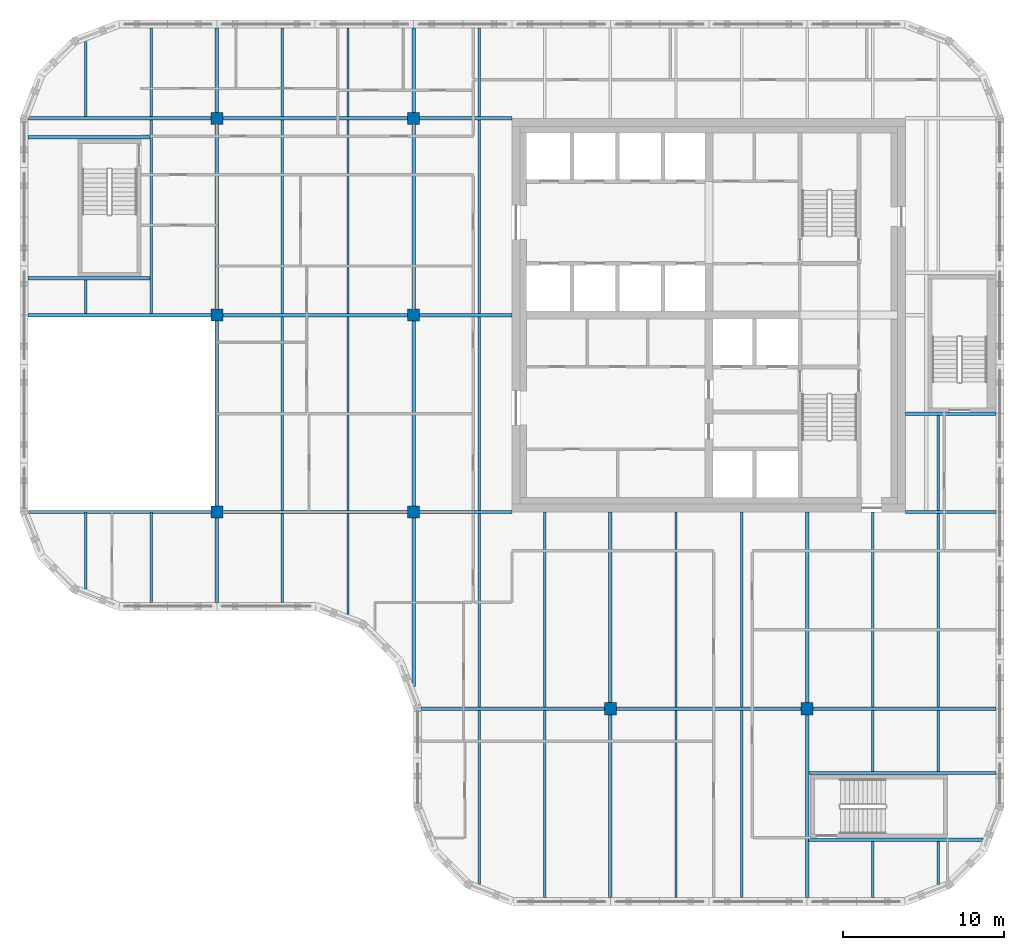
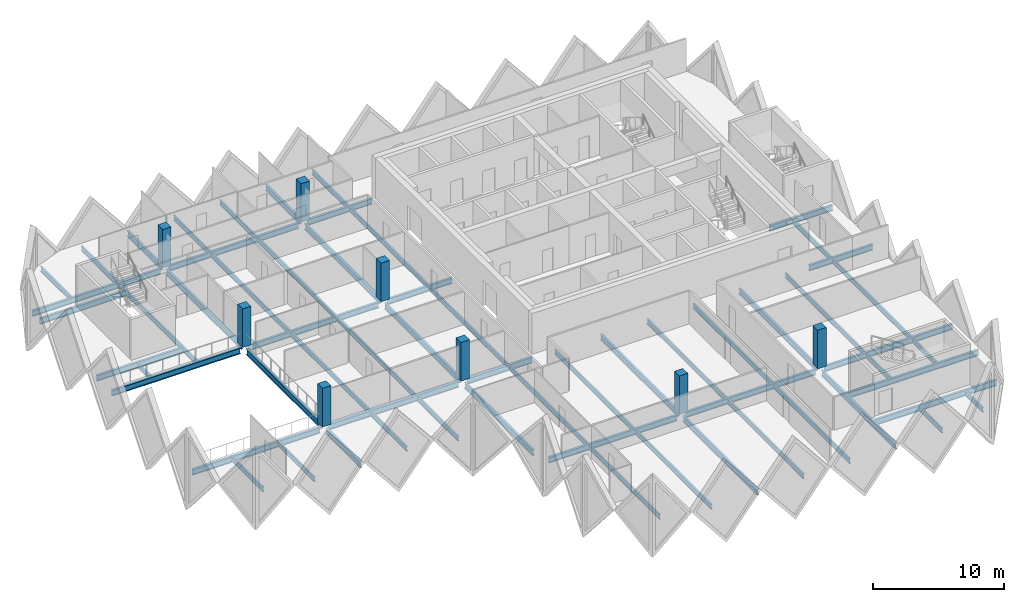
# One storey, part 1 of 11: 62 beams, 8 columns.
"""IFC4 building model written with IfcOpenShell, lengths in metres."""

from ifc_helpers import new_model, si_unit, direction, frame, origin, origin_2d, place, context, subcontext, project, spatial, rectangle, i_section, extrude, material, material_profile, profile_set, type_object, element, save


model = new_model("IFC4")

# Units and contexts
model_context = context("Model", 3, precision=1e-05, world=origin(), true_north=direction((0.0, 1.0)))
body_context = subcontext(model_context, "Body", "Model", "MODEL_VIEW")
ifc_project = project(units=[si_unit("LENGTHUNIT", "METRE"), si_unit("AREAUNIT", "SQUARE_METRE"), si_unit("VOLUMEUNIT", "CUBIC_METRE"), si_unit("PLANEANGLEUNIT", "RADIAN"), si_unit("MASSUNIT", "GRAM", prefix="KILO")], contexts=[model_context])

# Site, building, storey
site_placement = place(None, origin())
site = spatial("IfcSite", under=ifc_project, at=site_placement, CompositionType="ELEMENT")
building_placement = place(site_placement, origin())
building = spatial("IfcBuilding", under=site, at=building_placement, Name="Tessera Gate Towers", CompositionType="ELEMENT")
storey_placement = place(building_placement, frame((0.0, 0.0, 224.5)))
storey = spatial("IfcBuildingStorey", under=building, at=storey_placement, Name="L56", CompositionType="ELEMENT", Elevation=224.5)

# Columns
ifc_material_1 = material(Name="Concrete C70/85", Category="concrete")
ifc_material_profile_1 = material_profile(ifc_material_1, rectangle(XDim=0.75, YDim=0.75, at=origin_2d()), Name="RC 750x750")
ifc_profile_set_1 = profile_set([ifc_material_profile_1], Name="Concrete C70/85")
column_type = type_object("IfcColumnType", Name="COLUMN RC 750x750", PredefinedType="COLUMN", material=ifc_profile_set_1)
for number, where, z_axis, x_axis, name in (
    (1, (12.199951171875, 24.39990234375, 0.0), (0.0, 0.0, 1.0), (1.0, 0.0, 0.0), "T1-COL-2C-L56"),
    (2, (12.199951171875, 36.60009765625, 0.0), (0.0, 0.0, 1.0), (1.0, 0.0, 0.0), "T1-COL-2D-L56"),
    (3, (12.199951171875, 48.800048828125, 0.0), (0.0, 0.0, 1.0), (1.0, 0.0, 0.0), "T1-COL-2E-L56"),
    (4, (24.39990234375, 24.39990234375, 0.0), (0.0, 0.0, 1.0), (1.0, 0.0, 0.0), "T1-COL-3C-L56"),
    (5, (24.39990234375, 36.60009765625, 0.0), (0.0, 0.0, 1.0), (1.0, 0.0, 0.0), "T1-COL-3D-L56"),
    (6, (24.39990234375, 48.800048828125, 0.0), (0.0, 0.0, 1.0), (1.0, 0.0, 0.0), "T1-COL-3E-L56"),
    (7, (36.60009765625, 12.199951171875, 0.0), (0.0, 0.0, 1.0), (1.0, 0.0, 0.0), "T1-COL-4B-L56"),
    (8, (48.800048828125, 12.199951171875, 0.0), (0.0, 0.0, 1.0), (1.0, 0.0, 0.0), "T1-COL-5B-L56"),
):
    element("IfcColumn", number, at=place(storey_placement, frame(where, z_axis=z_axis, x_axis=x_axis)), inside=storey, type_object=column_type, Name=name, PredefinedType="COLUMN", context=body_context, shape_type="SweptSolid", body=[
        extrude(rectangle(XDim=0.75, YDim=0.75, at=origin_2d()), origin(), (0.0, 0.0, 1.0), 3.60009765625),
    ])

# Beams
ifc_material_2 = material(Name="Steel 350W", Category="steel")
ifc_material_profile_2 = material_profile(ifc_material_2, i_section(OverallWidth=0.208984375, OverallDepth=0.532958984375, WebThickness=0.01025390625, FlangeThickness=0.015625, at=origin_2d()), Name="W530x92")
ifc_profile_set_2 = profile_set([ifc_material_profile_2], Name="Steel 350W")
beam_type_1 = type_object("IfcBeamType", Name="FLOOR GIRDER W530x92", PredefinedType="BEAM", material=ifc_profile_set_2)
beam_1_placement = place(storey_placement, frame((24.89892578125, 12.199951171875, -0.466552734375), z_axis=(1.0, 0.0, 0.0), x_axis=(0.0, 1.0, 0.0)))
element("IfcBeam", 9, at=beam_1_placement, inside=storey, type_object=beam_type_1, Name="T1-GD-L56-5700", PredefinedType="BEAM", context=body_context, shape_type="SweptSolid", body=[
    extrude(i_section(OverallWidth=0.208984375, OverallDepth=0.532958984375, WebThickness=0.01025390625, FlangeThickness=0.015625, at=origin_2d()), origin(), (0.0, 0.0, 1.0), 11.326171875),
])
beam_2_placement = place(storey_placement, frame((36.97509765625, 12.199951171875, -0.466552734375), z_axis=(1.0, 0.0, 0.0), x_axis=(0.0, 1.0, 0.0)))
element("IfcBeam", 10, at=beam_2_placement, inside=storey, type_object=beam_type_1, Name="T1-GD-L56-5701", PredefinedType="BEAM", context=body_context, shape_type="SweptSolid", body=[
    extrude(i_section(OverallWidth=0.208984375, OverallDepth=0.532958984375, WebThickness=0.01025390625, FlangeThickness=0.015625, at=origin_2d()), origin(), (0.0, 0.0, 1.0), 11.449951171875),
])
beam_3_placement = place(storey_placement, frame((49.175048828125, 12.199951171875, -0.466552734375), z_axis=(1.0, 0.0, 0.0), x_axis=(0.0, 1.0, 0.0)))
element("IfcBeam", 11, at=beam_3_placement, inside=storey, type_object=beam_type_1, Name="T1-GD-L56-5702", PredefinedType="BEAM", context=body_context, shape_type="SweptSolid", body=[
    extrude(i_section(OverallWidth=0.208984375, OverallDepth=0.532958984375, WebThickness=0.01025390625, FlangeThickness=0.015625, at=origin_2d()), origin(), (0.0, 0.0, 1.0), 11.325927734375),
])
beam_4_placement = place(storey_placement, frame((0.534912109375, 24.39990234375, -0.466552734375), z_axis=(1.0, 0.0, 0.0), x_axis=(0.0, 1.0, 0.0)))
element("IfcBeam", 12, at=beam_4_placement, inside=storey, type_object=beam_type_1, Name="T1-GD-L56-5703", PredefinedType="BEAM", context=body_context, shape_type="SweptSolid", body=[
    extrude(i_section(OverallWidth=0.208984375, OverallDepth=0.532958984375, WebThickness=0.01025390625, FlangeThickness=0.015625, at=origin_2d()), origin(), (0.0, 0.0, 1.0), 11.2900390625),
])
beam_5_placement = place(storey_placement, frame((12.574951171875, 24.39990234375, -0.466552734375), z_axis=(1.0, 0.0, 0.0), x_axis=(0.0, 1.0, 0.0)))
element("IfcBeam", 13, at=beam_5_placement, inside=storey, type_object=beam_type_1, Name="T1-GD-L56-5704", PredefinedType="BEAM", context=body_context, shape_type="SweptSolid", body=[
    extrude(i_section(OverallWidth=0.208984375, OverallDepth=0.532958984375, WebThickness=0.01025390625, FlangeThickness=0.015625, at=origin_2d()), origin(), (0.0, 0.0, 1.0), 11.449951171875),
])
beam_6_placement = place(storey_placement, frame((24.77490234375, 24.39990234375, -0.466552734375), z_axis=(1.0, 0.0, 0.0), x_axis=(0.0, 1.0, 0.0)))
element("IfcBeam", 14, at=beam_6_placement, inside=storey, type_object=beam_type_1, Name="T1-GD-L56-5705", PredefinedType="BEAM", context=body_context, shape_type="SweptSolid", body=[
    extrude(i_section(OverallWidth=0.208984375, OverallDepth=0.532958984375, WebThickness=0.01025390625, FlangeThickness=0.015625, at=origin_2d()), origin(), (0.0, 0.0, 1.0), 5.72412109375),
])
beam_7_placement = place(storey_placement, frame((54.90087890625, 24.39990234375, -0.466552734375), z_axis=(1.0, 0.0, 0.0), x_axis=(0.0, 1.0, 0.0)))
element("IfcBeam", 15, at=beam_7_placement, inside=storey, type_object=beam_type_1, Name="T1-GD-L56-5706", PredefinedType="BEAM", context=body_context, shape_type="SweptSolid", body=[
    extrude(i_section(OverallWidth=0.208984375, OverallDepth=0.532958984375, WebThickness=0.01025390625, FlangeThickness=0.015625, at=origin_2d()), origin(), (0.0, 0.0, 1.0), 5.60009765625),
])
beam_8_placement = place(storey_placement, frame((0.4990234375, 36.60009765625, -0.466552734375), z_axis=(1.0, 0.0, 0.0), x_axis=(0.0, 1.0, 0.0)))
element("IfcBeam", 16, at=beam_8_placement, inside=storey, type_object=beam_type_1, Name="T1-GD-L56-5707", PredefinedType="BEAM", context=body_context, shape_type="SweptSolid", body=[
    extrude(i_section(OverallWidth=0.208984375, OverallDepth=0.532958984375, WebThickness=0.01025390625, FlangeThickness=0.015625, at=origin_2d()), origin(), (0.0, 0.0, 1.0), 11.325927734375),
])
beam_9_placement = place(storey_placement, frame((12.574951171875, 36.60009765625, -0.466552734375), z_axis=(1.0, 0.0, 0.0), x_axis=(0.0, 1.0, 0.0)))
element("IfcBeam", 17, at=beam_9_placement, inside=storey, type_object=beam_type_1, Name="T1-GD-L56-5708", PredefinedType="BEAM", context=body_context, shape_type="SweptSolid", body=[
    extrude(i_section(OverallWidth=0.208984375, OverallDepth=0.532958984375, WebThickness=0.01025390625, FlangeThickness=0.015625, at=origin_2d()), origin(), (0.0, 0.0, 1.0), 11.449951171875),
])
beam_10_placement = place(storey_placement, frame((24.77490234375, 36.60009765625, -0.466552734375), z_axis=(1.0, 0.0, 0.0), x_axis=(0.0, 1.0, 0.0)))
element("IfcBeam", 18, at=beam_10_placement, inside=storey, type_object=beam_type_1, Name="T1-GD-L56-5709", PredefinedType="BEAM", context=body_context, shape_type="SweptSolid", body=[
    extrude(i_section(OverallWidth=0.208984375, OverallDepth=0.532958984375, WebThickness=0.01025390625, FlangeThickness=0.015625, at=origin_2d()), origin(), (0.0, 0.0, 1.0), 5.72607421875),
])
beam_11_placement = place(storey_placement, frame((0.534912109375, 48.800048828125, -0.466552734375), z_axis=(1.0, 0.0, 0.0), x_axis=(0.0, 1.0, 0.0)))
element("IfcBeam", 19, at=beam_11_placement, inside=storey, type_object=beam_type_1, Name="T1-GD-L56-5711", PredefinedType="BEAM", context=body_context, shape_type="SweptSolid", body=[
    extrude(i_section(OverallWidth=0.208984375, OverallDepth=0.532958984375, WebThickness=0.01025390625, FlangeThickness=0.015625, at=origin_2d()), origin(), (0.0, 0.0, 1.0), 11.2900390625),
])
beam_12_placement = place(storey_placement, frame((12.574951171875, 48.800048828125, -0.466552734375), z_axis=(1.0, 0.0, 0.0), x_axis=(0.0, 1.0, 0.0)))
element("IfcBeam", 20, at=beam_12_placement, inside=storey, type_object=beam_type_1, Name="T1-GD-L56-5712", PredefinedType="BEAM", context=body_context, shape_type="SweptSolid", body=[
    extrude(i_section(OverallWidth=0.208984375, OverallDepth=0.532958984375, WebThickness=0.01025390625, FlangeThickness=0.015625, at=origin_2d()), origin(), (0.0, 0.0, 1.0), 11.449951171875),
])
beam_13_placement = place(storey_placement, frame((24.77490234375, 48.800048828125, -0.466552734375), z_axis=(1.0, 0.0, 0.0), x_axis=(0.0, 1.0, 0.0)))
element("IfcBeam", 21, at=beam_13_placement, inside=storey, type_object=beam_type_1, Name="T1-GD-L56-5713", PredefinedType="BEAM", context=body_context, shape_type="SweptSolid", body=[
    extrude(i_section(OverallWidth=0.208984375, OverallDepth=0.532958984375, WebThickness=0.01025390625, FlangeThickness=0.015625, at=origin_2d()), origin(), (0.0, 0.0, 1.0), 5.72412109375),
])
beam_14_placement = place(storey_placement, frame((12.199951171875, 18.799072265625, -0.466552734375), z_axis=(0.0, 1.0, 0.0), x_axis=(-1.0, 0.0, 0.0)))
element("IfcBeam", 22, at=beam_14_placement, inside=storey, type_object=beam_type_1, Name="T1-GD-L56-5715", PredefinedType="BEAM", context=body_context, shape_type="SweptSolid", body=[
    extrude(i_section(OverallWidth=0.208984375, OverallDepth=0.532958984375, WebThickness=0.01025390625, FlangeThickness=0.015625, at=origin_2d()), origin(), (0.0, 0.0, 1.0), 5.225830078125),
])
beam_15_placement = place(storey_placement, frame((12.199951171875, 24.77490234375, -0.466552734375), z_axis=(0.0, 1.0, 0.0), x_axis=(-1.0, 0.0, 0.0)))
element("IfcBeam", 23, at=beam_15_placement, inside=storey, type_object=beam_type_1, Name="T1-GD-L56-5716", PredefinedType="BEAM", context=body_context, shape_type="SweptSolid", body=[
    extrude(i_section(OverallWidth=0.208984375, OverallDepth=0.532958984375, WebThickness=0.01025390625, FlangeThickness=0.015625, at=origin_2d()), origin(), (0.0, 0.0, 1.0), 11.4501953125),
])
beam_16_placement = place(storey_placement, frame((12.199951171875, 36.97509765625, -0.466552734375), z_axis=(0.0, 1.0, 0.0), x_axis=(-1.0, 0.0, 0.0)))
element("IfcBeam", 24, at=beam_16_placement, inside=storey, type_object=beam_type_1, Name="T1-GD-L56-5717", PredefinedType="BEAM", context=body_context, shape_type="SweptSolid", body=[
    extrude(i_section(OverallWidth=0.208984375, OverallDepth=0.532958984375, WebThickness=0.01025390625, FlangeThickness=0.015625, at=origin_2d()), origin(), (0.0, 0.0, 1.0), 11.449951171875),
])
beam_17_placement = place(storey_placement, frame((12.199951171875, 49.175048828125, -0.466552734375), z_axis=(0.0, 1.0, 0.0), x_axis=(-1.0, 0.0, 0.0)))
element("IfcBeam", 25, at=beam_17_placement, inside=storey, type_object=beam_type_1, Name="T1-GD-L56-5718", PredefinedType="BEAM", context=body_context, shape_type="SweptSolid", body=[
    extrude(i_section(OverallWidth=0.208984375, OverallDepth=0.532958984375, WebThickness=0.01025390625, FlangeThickness=0.015625, at=origin_2d()), origin(), (0.0, 0.0, 1.0), 5.225830078125),
])
beam_18_placement = place(storey_placement, frame((24.39990234375, 13.58642578125, -0.466552734375), z_axis=(0.0, 1.0, 0.0), x_axis=(-1.0, 0.0, 0.0)))
element("IfcBeam", 26, at=beam_18_placement, inside=storey, type_object=beam_type_1, Name="T1-GD-L56-5719", PredefinedType="BEAM", context=body_context, shape_type="SweptSolid", body=[
    extrude(i_section(OverallWidth=0.208984375, OverallDepth=0.532958984375, WebThickness=0.01025390625, FlangeThickness=0.015625, at=origin_2d()), origin(), (0.0, 0.0, 1.0), 10.4384765625),
])
beam_19_placement = place(storey_placement, frame((24.39990234375, 24.77490234375, -0.466552734375), z_axis=(0.0, 1.0, 0.0), x_axis=(-1.0, 0.0, 0.0)))
element("IfcBeam", 27, at=beam_19_placement, inside=storey, type_object=beam_type_1, Name="T1-GD-L56-5720", PredefinedType="BEAM", context=body_context, shape_type="SweptSolid", body=[
    extrude(i_section(OverallWidth=0.208984375, OverallDepth=0.532958984375, WebThickness=0.01025390625, FlangeThickness=0.015625, at=origin_2d()), origin(), (0.0, 0.0, 1.0), 11.4501953125),
])
beam_20_placement = place(storey_placement, frame((24.39990234375, 36.97509765625, -0.466552734375), z_axis=(0.0, 1.0, 0.0), x_axis=(-1.0, 0.0, 0.0)))
element("IfcBeam", 28, at=beam_20_placement, inside=storey, type_object=beam_type_1, Name="T1-GD-L56-5721", PredefinedType="BEAM", context=body_context, shape_type="SweptSolid", body=[
    extrude(i_section(OverallWidth=0.208984375, OverallDepth=0.532958984375, WebThickness=0.01025390625, FlangeThickness=0.015625, at=origin_2d()), origin(), (0.0, 0.0, 1.0), 11.449951171875),
])
beam_21_placement = place(storey_placement, frame((24.39990234375, 49.175048828125, -0.466552734375), z_axis=(0.0, 1.0, 0.0), x_axis=(-1.0, 0.0, 0.0)))
element("IfcBeam", 29, at=beam_21_placement, inside=storey, type_object=beam_type_1, Name="T1-GD-L56-5722", PredefinedType="BEAM", context=body_context, shape_type="SweptSolid", body=[
    extrude(i_section(OverallWidth=0.208984375, OverallDepth=0.532958984375, WebThickness=0.01025390625, FlangeThickness=0.015625, at=origin_2d()), origin(), (0.0, 0.0, 1.0), 5.225830078125),
])
beam_22_placement = place(storey_placement, frame((36.60009765625, 0.4990234375, -0.466552734375), z_axis=(0.0, 1.0, 0.0), x_axis=(-1.0, 0.0, 0.0)))
element("IfcBeam", 30, at=beam_22_placement, inside=storey, type_object=beam_type_1, Name="T1-GD-L56-5723", PredefinedType="BEAM", context=body_context, shape_type="SweptSolid", body=[
    extrude(i_section(OverallWidth=0.208984375, OverallDepth=0.532958984375, WebThickness=0.01025390625, FlangeThickness=0.015625, at=origin_2d()), origin(), (0.0, 0.0, 1.0), 11.325927734375),
])
beam_23_placement = place(storey_placement, frame((36.60009765625, 12.574951171875, -0.466552734375), z_axis=(0.0, 1.0, 0.0), x_axis=(-1.0, 0.0, 0.0)))
element("IfcBeam", 31, at=beam_23_placement, inside=storey, type_object=beam_type_1, Name="T1-GD-L56-5724", PredefinedType="BEAM", context=body_context, shape_type="SweptSolid", body=[
    extrude(i_section(OverallWidth=0.208984375, OverallDepth=0.532958984375, WebThickness=0.01025390625, FlangeThickness=0.015625, at=origin_2d()), origin(), (0.0, 0.0, 1.0), 11.824951171875),
])
beam_24_placement = place(storey_placement, frame((48.800048828125, 0.4990234375, -0.466552734375), z_axis=(0.0, 1.0, 0.0), x_axis=(-1.0, 0.0, 0.0)))
element("IfcBeam", 32, at=beam_24_placement, inside=storey, type_object=beam_type_1, Name="T1-GD-L56-5725", PredefinedType="BEAM", context=body_context, shape_type="SweptSolid", body=[
    extrude(i_section(OverallWidth=0.208984375, OverallDepth=0.532958984375, WebThickness=0.01025390625, FlangeThickness=0.015625, at=origin_2d()), origin(), (0.0, 0.0, 1.0), 11.325927734375),
])
beam_25_placement = place(storey_placement, frame((48.800048828125, 12.574951171875, -0.466552734375), z_axis=(0.0, 1.0, 0.0), x_axis=(-1.0, 0.0, 0.0)))
element("IfcBeam", 33, at=beam_25_placement, inside=storey, type_object=beam_type_1, Name="T1-GD-L56-5726", PredefinedType="BEAM", context=body_context, shape_type="SweptSolid", body=[
    extrude(i_section(OverallWidth=0.208984375, OverallDepth=0.532958984375, WebThickness=0.01025390625, FlangeThickness=0.015625, at=origin_2d()), origin(), (0.0, 0.0, 1.0), 11.824951171875),
])
for number, where, z_axis, x_axis, name in (
    (34, (0.4990234375, 38.8798828125, -0.466552734375), (1.0, 0.0, 0.0), (0.0, 1.0, 0.0), "T1-GD-L56-5727"),
    (35, (0.4990234375, 47.6201171875, -0.466552734375), (1.0, 0.0, 0.0), (0.0, 1.0, 0.0), "T1-GD-L56-5728"),
):
    element("IfcBeam", number, at=place(storey_placement, frame(where, z_axis=z_axis, x_axis=x_axis)), inside=storey, type_object=beam_type_1, Name=name, PredefinedType="BEAM", context=body_context, shape_type="SweptSolid", body=[
        extrude(i_section(OverallWidth=0.208984375, OverallDepth=0.532958984375, WebThickness=0.01025390625, FlangeThickness=0.015625, at=origin_2d()), origin(), (0.0, 0.0, 1.0), 7.557861328125),
    ])
beam_26_placement = place(storey_placement, frame((48.87646484375, 4.080078125, -0.466552734375), z_axis=(1.0, 0.0, 0.0), x_axis=(0.0, 1.0, 0.0)))
element("IfcBeam", 36, at=beam_26_placement, inside=storey, type_object=beam_type_1, Name="T1-GD-L56-5729", PredefinedType="BEAM", context=body_context, shape_type="SweptSolid", body=[
    extrude(i_section(OverallWidth=0.208984375, OverallDepth=0.532958984375, WebThickness=0.01025390625, FlangeThickness=0.015625, at=origin_2d()), origin(), (0.0, 0.0, 1.0), 10.809326171875),
])
beam_27_placement = place(storey_placement, frame((48.87646484375, 8.219970703125, -0.466552734375), z_axis=(1.0, 0.0, 0.0), x_axis=(0.0, 1.0, 0.0)))
element("IfcBeam", 37, at=beam_27_placement, inside=storey, type_object=beam_type_1, Name="T1-GD-L56-5730", PredefinedType="BEAM", context=body_context, shape_type="SweptSolid", body=[
    extrude(i_section(OverallWidth=0.208984375, OverallDepth=0.532958984375, WebThickness=0.01025390625, FlangeThickness=0.015625, at=origin_2d()), origin(), (0.0, 0.0, 1.0), 11.62451171875),
])
beam_28_placement = place(storey_placement, frame((54.89892578125, 30.47998046875, -0.466552734375), z_axis=(1.0, 0.0, 0.0), x_axis=(0.0, 1.0, 0.0)))
element("IfcBeam", 38, at=beam_28_placement, inside=storey, type_object=beam_type_1, Name="T1-GD-L56-5731", PredefinedType="BEAM", context=body_context, shape_type="SweptSolid", body=[
    extrude(i_section(OverallWidth=0.208984375, OverallDepth=0.532958984375, WebThickness=0.01025390625, FlangeThickness=0.015625, at=origin_2d()), origin(), (0.0, 0.0, 1.0), 5.60205078125),
])
ifc_material_3 = material(Name="Steel 350W", Category="steel")
ifc_material_profile_3 = material_profile(ifc_material_3, i_section(OverallWidth=0.153076171875, OverallDepth=0.455078125, WebThickness=0.008056640625, FlangeThickness=0.01318359375, at=origin_2d()), Name="W460x60")
ifc_profile_set_3 = profile_set([ifc_material_profile_3], Name="Steel 350W")
beam_type_2 = type_object("IfcBeamType", Name="FLOOR SECONDARY W460x60", PredefinedType="BEAM", material=ifc_profile_set_3)
beam_29_placement = place(storey_placement, frame((4.066650390625, 19.620361328125, -0.427490234375), z_axis=(0.0, 1.0, 0.0), x_axis=(-1.0, 0.0, 0.0)))
element("IfcBeam", 39, at=beam_29_placement, inside=storey, type_object=beam_type_2, Name="T1-BM-L56-5734", PredefinedType="BEAM", context=body_context, shape_type="SweptSolid", body=[
    extrude(i_section(OverallWidth=0.153076171875, OverallDepth=0.455078125, WebThickness=0.008056640625, FlangeThickness=0.01318359375, at=origin_2d()), origin(), (0.0, 0.0, 1.0), 4.779541015625),
])
beam_30_placement = place(storey_placement, frame((4.066650390625, 36.70458984375, -0.427490234375), z_axis=(0.0, 1.0, 0.0), x_axis=(-1.0, 0.0, 0.0)))
element("IfcBeam", 40, at=beam_30_placement, inside=storey, type_object=beam_type_2, Name="T1-BM-L56-5735", PredefinedType="BEAM", context=body_context, shape_type="SweptSolid", body=[
    extrude(i_section(OverallWidth=0.153076171875, OverallDepth=0.455078125, WebThickness=0.008056640625, FlangeThickness=0.01318359375, at=origin_2d()), origin(), (0.0, 0.0, 1.0), 2.07080078125),
])
beam_31_placement = place(storey_placement, frame((4.066650390625, 48.904541015625, -0.427490234375), z_axis=(0.0, 1.0, 0.0), x_axis=(-1.0, 0.0, 0.0)))
element("IfcBeam", 41, at=beam_31_placement, inside=storey, type_object=beam_type_2, Name="T1-BM-L56-5736", PredefinedType="BEAM", context=body_context, shape_type="SweptSolid", body=[
    extrude(i_section(OverallWidth=0.153076171875, OverallDepth=0.455078125, WebThickness=0.008056640625, FlangeThickness=0.01318359375, at=origin_2d()), origin(), (0.0, 0.0, 1.0), 4.675048828125),
])
beam_32_placement = place(storey_placement, frame((8.13330078125, 18.800048828125, -0.427490234375), z_axis=(0.0, 1.0, 0.0), x_axis=(-1.0, 0.0, 0.0)))
element("IfcBeam", 42, at=beam_32_placement, inside=storey, type_object=beam_type_2, Name="T1-BM-L56-5737", PredefinedType="BEAM", context=body_context, shape_type="SweptSolid", body=[
    extrude(i_section(OverallWidth=0.153076171875, OverallDepth=0.455078125, WebThickness=0.008056640625, FlangeThickness=0.01318359375, at=origin_2d()), origin(), (0.0, 0.0, 1.0), 5.599853515625),
])
beam_33_placement = place(storey_placement, frame((8.13330078125, 36.70458984375, -0.427490234375), z_axis=(0.0, 1.0, 0.0), x_axis=(-1.0, 0.0, 0.0)))
element("IfcBeam", 43, at=beam_33_placement, inside=storey, type_object=beam_type_2, Name="T1-BM-L56-5738", PredefinedType="BEAM", context=body_context, shape_type="SweptSolid", body=[
    extrude(i_section(OverallWidth=0.153076171875, OverallDepth=0.455078125, WebThickness=0.008056640625, FlangeThickness=0.01318359375, at=origin_2d()), origin(), (0.0, 0.0, 1.0), 11.990966796875),
])
for number, where, z_axis, x_axis, name in (
    (44, (8.13330078125, 48.904541015625, -0.427490234375), (0.0, 1.0, 0.0), (-1.0, 0.0, 0.0), "T1-BM-L56-5739"),
    (45, (16.2666015625, 18.800048828125, -0.427490234375), (0.0, 1.0, 0.0), (-1.0, 0.0, 0.0), "T1-BM-L56-5740"),
):
    element("IfcBeam", number, at=place(storey_placement, frame(where, z_axis=z_axis, x_axis=x_axis)), inside=storey, type_object=beam_type_2, Name=name, PredefinedType="BEAM", context=body_context, shape_type="SweptSolid", body=[
        extrude(i_section(OverallWidth=0.153076171875, OverallDepth=0.455078125, WebThickness=0.008056640625, FlangeThickness=0.01318359375, at=origin_2d()), origin(), (0.0, 0.0, 1.0), 5.495361328125),
    ])
beam_34_placement = place(storey_placement, frame((16.2666015625, 24.50439453125, -0.427490234375), z_axis=(0.0, 1.0, 0.0), x_axis=(-1.0, 0.0, 0.0)))
element("IfcBeam", 46, at=beam_34_placement, inside=storey, type_object=beam_type_2, Name="T1-BM-L56-5741", PredefinedType="BEAM", context=body_context, shape_type="SweptSolid", body=[
    extrude(i_section(OverallWidth=0.153076171875, OverallDepth=0.455078125, WebThickness=0.008056640625, FlangeThickness=0.01318359375, at=origin_2d()), origin(), (0.0, 0.0, 1.0), 11.9912109375),
])
beam_35_placement = place(storey_placement, frame((16.2666015625, 36.70458984375, -0.427490234375), z_axis=(0.0, 1.0, 0.0), x_axis=(-1.0, 0.0, 0.0)))
element("IfcBeam", 47, at=beam_35_placement, inside=storey, type_object=beam_type_2, Name="T1-BM-L56-5742", PredefinedType="BEAM", context=body_context, shape_type="SweptSolid", body=[
    extrude(i_section(OverallWidth=0.153076171875, OverallDepth=0.455078125, WebThickness=0.008056640625, FlangeThickness=0.01318359375, at=origin_2d()), origin(), (0.0, 0.0, 1.0), 11.990966796875),
])
beam_36_placement = place(storey_placement, frame((16.2666015625, 48.904541015625, -0.427490234375), z_axis=(0.0, 1.0, 0.0), x_axis=(-1.0, 0.0, 0.0)))
element("IfcBeam", 48, at=beam_36_placement, inside=storey, type_object=beam_type_2, Name="T1-BM-L56-5743", PredefinedType="BEAM", context=body_context, shape_type="SweptSolid", body=[
    extrude(i_section(OverallWidth=0.153076171875, OverallDepth=0.455078125, WebThickness=0.008056640625, FlangeThickness=0.01318359375, at=origin_2d()), origin(), (0.0, 0.0, 1.0), 5.495361328125),
])
beam_37_placement = place(storey_placement, frame((20.333251953125, 18.051513671875, -0.427490234375), z_axis=(0.0, 1.0, 0.0), x_axis=(-1.0, 0.0, 0.0)))
element("IfcBeam", 49, at=beam_37_placement, inside=storey, type_object=beam_type_2, Name="T1-BM-L56-5744", PredefinedType="BEAM", context=body_context, shape_type="SweptSolid", body=[
    extrude(i_section(OverallWidth=0.153076171875, OverallDepth=0.455078125, WebThickness=0.008056640625, FlangeThickness=0.01318359375, at=origin_2d()), origin(), (0.0, 0.0, 1.0), 6.243896484375),
])
beam_38_placement = place(storey_placement, frame((20.333251953125, 24.50439453125, -0.427490234375), z_axis=(0.0, 1.0, 0.0), x_axis=(-1.0, 0.0, 0.0)))
element("IfcBeam", 50, at=beam_38_placement, inside=storey, type_object=beam_type_2, Name="T1-BM-L56-5745", PredefinedType="BEAM", context=body_context, shape_type="SweptSolid", body=[
    extrude(i_section(OverallWidth=0.153076171875, OverallDepth=0.455078125, WebThickness=0.008056640625, FlangeThickness=0.01318359375, at=origin_2d()), origin(), (0.0, 0.0, 1.0), 11.9912109375),
])
beam_39_placement = place(storey_placement, frame((20.333251953125, 36.70458984375, -0.427490234375), z_axis=(0.0, 1.0, 0.0), x_axis=(-1.0, 0.0, 0.0)))
element("IfcBeam", 51, at=beam_39_placement, inside=storey, type_object=beam_type_2, Name="T1-BM-L56-5746", PredefinedType="BEAM", context=body_context, shape_type="SweptSolid", body=[
    extrude(i_section(OverallWidth=0.153076171875, OverallDepth=0.455078125, WebThickness=0.008056640625, FlangeThickness=0.01318359375, at=origin_2d()), origin(), (0.0, 0.0, 1.0), 11.990966796875),
])
beam_40_placement = place(storey_placement, frame((20.333251953125, 48.904541015625, -0.427490234375), z_axis=(0.0, 1.0, 0.0), x_axis=(-1.0, 0.0, 0.0)))
element("IfcBeam", 52, at=beam_40_placement, inside=storey, type_object=beam_type_2, Name="T1-BM-L56-5747", PredefinedType="BEAM", context=body_context, shape_type="SweptSolid", body=[
    extrude(i_section(OverallWidth=0.153076171875, OverallDepth=0.455078125, WebThickness=0.008056640625, FlangeThickness=0.01318359375, at=origin_2d()), origin(), (0.0, 0.0, 1.0), 5.495361328125),
])
beam_41_placement = place(storey_placement, frame((28.466796875, 1.3203125, -0.427490234375), z_axis=(0.0, 1.0, 0.0), x_axis=(-1.0, 0.0, 0.0)))
element("IfcBeam", 53, at=beam_41_placement, inside=storey, type_object=beam_type_2, Name="T1-BM-L56-5748", PredefinedType="BEAM", context=body_context, shape_type="SweptSolid", body=[
    extrude(i_section(OverallWidth=0.153076171875, OverallDepth=0.455078125, WebThickness=0.008056640625, FlangeThickness=0.01318359375, at=origin_2d()), origin(), (0.0, 0.0, 1.0), 10.775146484375),
])
beam_42_placement = place(storey_placement, frame((28.466796875, 12.304443359375, -0.427490234375), z_axis=(0.0, 1.0, 0.0), x_axis=(-1.0, 0.0, 0.0)))
element("IfcBeam", 54, at=beam_42_placement, inside=storey, type_object=beam_type_2, Name="T1-BM-L56-5749", PredefinedType="BEAM", context=body_context, shape_type="SweptSolid", body=[
    extrude(i_section(OverallWidth=0.153076171875, OverallDepth=0.455078125, WebThickness=0.008056640625, FlangeThickness=0.01318359375, at=origin_2d()), origin(), (0.0, 0.0, 1.0), 11.990966796875),
])
beam_43_placement = place(storey_placement, frame((28.466796875, 24.50439453125, -0.427490234375), z_axis=(0.0, 1.0, 0.0), x_axis=(-1.0, 0.0, 0.0)))
element("IfcBeam", 55, at=beam_43_placement, inside=storey, type_object=beam_type_2, Name="T1-BM-L56-5750", PredefinedType="BEAM", context=body_context, shape_type="SweptSolid", body=[
    extrude(i_section(OverallWidth=0.153076171875, OverallDepth=0.455078125, WebThickness=0.008056640625, FlangeThickness=0.01318359375, at=origin_2d()), origin(), (0.0, 0.0, 1.0), 11.9912109375),
])
beam_44_placement = place(storey_placement, frame((28.466796875, 36.70458984375, -0.427490234375), z_axis=(0.0, 1.0, 0.0), x_axis=(-1.0, 0.0, 0.0)))
element("IfcBeam", 56, at=beam_44_placement, inside=storey, type_object=beam_type_2, Name="T1-BM-L56-5751", PredefinedType="BEAM", context=body_context, shape_type="SweptSolid", body=[
    extrude(i_section(OverallWidth=0.153076171875, OverallDepth=0.455078125, WebThickness=0.008056640625, FlangeThickness=0.01318359375, at=origin_2d()), origin(), (0.0, 0.0, 1.0), 11.990966796875),
])
beam_45_placement = place(storey_placement, frame((28.466796875, 48.904541015625, -0.427490234375), z_axis=(0.0, 1.0, 0.0), x_axis=(-1.0, 0.0, 0.0)))
element("IfcBeam", 57, at=beam_45_placement, inside=storey, type_object=beam_type_2, Name="T1-BM-L56-5752", PredefinedType="BEAM", context=body_context, shape_type="SweptSolid", body=[
    extrude(i_section(OverallWidth=0.153076171875, OverallDepth=0.455078125, WebThickness=0.008056640625, FlangeThickness=0.01318359375, at=origin_2d()), origin(), (0.0, 0.0, 1.0), 5.495361328125),
])
beam_46_placement = place(storey_placement, frame((32.533203125, 0.5, -0.427490234375), z_axis=(0.0, 1.0, 0.0), x_axis=(-1.0, 0.0, 0.0)))
element("IfcBeam", 58, at=beam_46_placement, inside=storey, type_object=beam_type_2, Name="T1-BM-L56-5753", PredefinedType="BEAM", context=body_context, shape_type="SweptSolid", body=[
    extrude(i_section(OverallWidth=0.153076171875, OverallDepth=0.455078125, WebThickness=0.008056640625, FlangeThickness=0.01318359375, at=origin_2d()), origin(), (0.0, 0.0, 1.0), 11.595458984375),
])
beam_47_placement = place(storey_placement, frame((32.533203125, 12.304443359375, -0.427490234375), z_axis=(0.0, 1.0, 0.0), x_axis=(-1.0, 0.0, 0.0)))
element("IfcBeam", 59, at=beam_47_placement, inside=storey, type_object=beam_type_2, Name="T1-BM-L56-5754", PredefinedType="BEAM", context=body_context, shape_type="SweptSolid", body=[
    extrude(i_section(OverallWidth=0.153076171875, OverallDepth=0.455078125, WebThickness=0.008056640625, FlangeThickness=0.01318359375, at=origin_2d()), origin(), (0.0, 0.0, 1.0), 12.095458984375),
])
beam_48_placement = place(storey_placement, frame((40.666748046875, 0.5, -0.427490234375), z_axis=(0.0, 1.0, 0.0), x_axis=(-1.0, 0.0, 0.0)))
element("IfcBeam", 60, at=beam_48_placement, inside=storey, type_object=beam_type_2, Name="T1-BM-L56-5757", PredefinedType="BEAM", context=body_context, shape_type="SweptSolid", body=[
    extrude(i_section(OverallWidth=0.153076171875, OverallDepth=0.455078125, WebThickness=0.008056640625, FlangeThickness=0.01318359375, at=origin_2d()), origin(), (0.0, 0.0, 1.0), 11.595458984375),
])
beam_49_placement = place(storey_placement, frame((40.666748046875, 12.304443359375, -0.427490234375), z_axis=(0.0, 1.0, 0.0), x_axis=(-1.0, 0.0, 0.0)))
element("IfcBeam", 61, at=beam_49_placement, inside=storey, type_object=beam_type_2, Name="T1-BM-L56-5758", PredefinedType="BEAM", context=body_context, shape_type="SweptSolid", body=[
    extrude(i_section(OverallWidth=0.153076171875, OverallDepth=0.455078125, WebThickness=0.008056640625, FlangeThickness=0.01318359375, at=origin_2d()), origin(), (0.0, 0.0, 1.0), 12.095458984375),
])
beam_50_placement = place(storey_placement, frame((44.7333984375, 0.5, -0.427490234375), z_axis=(0.0, 1.0, 0.0), x_axis=(-1.0, 0.0, 0.0)))
element("IfcBeam", 62, at=beam_50_placement, inside=storey, type_object=beam_type_2, Name="T1-BM-L56-5760", PredefinedType="BEAM", context=body_context, shape_type="SweptSolid", body=[
    extrude(i_section(OverallWidth=0.153076171875, OverallDepth=0.455078125, WebThickness=0.008056640625, FlangeThickness=0.01318359375, at=origin_2d()), origin(), (0.0, 0.0, 1.0), 11.595458984375),
])
beam_51_placement = place(storey_placement, frame((44.7333984375, 12.304443359375, -0.427490234375), z_axis=(0.0, 1.0, 0.0), x_axis=(-1.0, 0.0, 0.0)))
element("IfcBeam", 63, at=beam_51_placement, inside=storey, type_object=beam_type_2, Name="T1-BM-L56-5761", PredefinedType="BEAM", context=body_context, shape_type="SweptSolid", body=[
    extrude(i_section(OverallWidth=0.153076171875, OverallDepth=0.455078125, WebThickness=0.008056640625, FlangeThickness=0.01318359375, at=origin_2d()), origin(), (0.0, 0.0, 1.0), 12.095458984375),
])
beam_52_placement = place(storey_placement, frame((52.86669921875, 0.5, -0.427490234375), z_axis=(0.0, 1.0, 0.0), x_axis=(-1.0, 0.0, 0.0)))
element("IfcBeam", 64, at=beam_52_placement, inside=storey, type_object=beam_type_2, Name="T1-BM-L56-5764", PredefinedType="BEAM", context=body_context, shape_type="SweptSolid", body=[
    extrude(i_section(OverallWidth=0.153076171875, OverallDepth=0.455078125, WebThickness=0.008056640625, FlangeThickness=0.01318359375, at=origin_2d()), origin(), (0.0, 0.0, 1.0), 3.4755859375),
])
beam_53_placement = place(storey_placement, frame((52.86669921875, 8.324462890625, -0.427490234375), z_axis=(0.0, 1.0, 0.0), x_axis=(-1.0, 0.0, 0.0)))
element("IfcBeam", 65, at=beam_53_placement, inside=storey, type_object=beam_type_2, Name="T1-BM-L56-5765", PredefinedType="BEAM", context=body_context, shape_type="SweptSolid", body=[
    extrude(i_section(OverallWidth=0.153076171875, OverallDepth=0.455078125, WebThickness=0.008056640625, FlangeThickness=0.01318359375, at=origin_2d()), origin(), (0.0, 0.0, 1.0), 3.77099609375),
])
beam_54_placement = place(storey_placement, frame((52.86669921875, 12.304443359375, -0.427490234375), z_axis=(0.0, 1.0, 0.0), x_axis=(-1.0, 0.0, 0.0)))
element("IfcBeam", 66, at=beam_54_placement, inside=storey, type_object=beam_type_2, Name="T1-BM-L56-5766", PredefinedType="BEAM", context=body_context, shape_type="SweptSolid", body=[
    extrude(i_section(OverallWidth=0.153076171875, OverallDepth=0.455078125, WebThickness=0.008056640625, FlangeThickness=0.01318359375, at=origin_2d()), origin(), (0.0, 0.0, 1.0), 12.095458984375),
])
beam_55_placement = place(storey_placement, frame((56.933349609375, 1.3203125, -0.427490234375), z_axis=(0.0, 1.0, 0.0), x_axis=(-1.0, 0.0, 0.0)))
element("IfcBeam", 67, at=beam_55_placement, inside=storey, type_object=beam_type_2, Name="T1-BM-L56-5768", PredefinedType="BEAM", context=body_context, shape_type="SweptSolid", body=[
    extrude(i_section(OverallWidth=0.153076171875, OverallDepth=0.455078125, WebThickness=0.008056640625, FlangeThickness=0.01318359375, at=origin_2d()), origin(), (0.0, 0.0, 1.0), 2.6552734375),
])
beam_56_placement = place(storey_placement, frame((56.933349609375, 8.324462890625, -0.427490234375), z_axis=(0.0, 1.0, 0.0), x_axis=(-1.0, 0.0, 0.0)))
element("IfcBeam", 68, at=beam_56_placement, inside=storey, type_object=beam_type_2, Name="T1-BM-L56-5769", PredefinedType="BEAM", context=body_context, shape_type="SweptSolid", body=[
    extrude(i_section(OverallWidth=0.153076171875, OverallDepth=0.455078125, WebThickness=0.008056640625, FlangeThickness=0.01318359375, at=origin_2d()), origin(), (0.0, 0.0, 1.0), 3.77099609375),
])
beam_57_placement = place(storey_placement, frame((56.933349609375, 12.304443359375, -0.427490234375), z_axis=(0.0, 1.0, 0.0), x_axis=(-1.0, 0.0, 0.0)))
element("IfcBeam", 69, at=beam_57_placement, inside=storey, type_object=beam_type_2, Name="T1-BM-L56-5770", PredefinedType="BEAM", context=body_context, shape_type="SweptSolid", body=[
    extrude(i_section(OverallWidth=0.153076171875, OverallDepth=0.455078125, WebThickness=0.008056640625, FlangeThickness=0.01318359375, at=origin_2d()), origin(), (0.0, 0.0, 1.0), 11.990966796875),
])
beam_58_placement = place(storey_placement, frame((56.933349609375, 24.50439453125, -0.427490234375), z_axis=(0.0, 1.0, 0.0), x_axis=(-1.0, 0.0, 0.0)))
element("IfcBeam", 70, at=beam_58_placement, inside=storey, type_object=beam_type_2, Name="T1-BM-L56-5771", PredefinedType="BEAM", context=body_context, shape_type="SweptSolid", body=[
    extrude(i_section(OverallWidth=0.153076171875, OverallDepth=0.455078125, WebThickness=0.008056640625, FlangeThickness=0.01318359375, at=origin_2d()), origin(), (0.0, 0.0, 1.0), 5.87109375),
])

save(model, "model.ifc")
